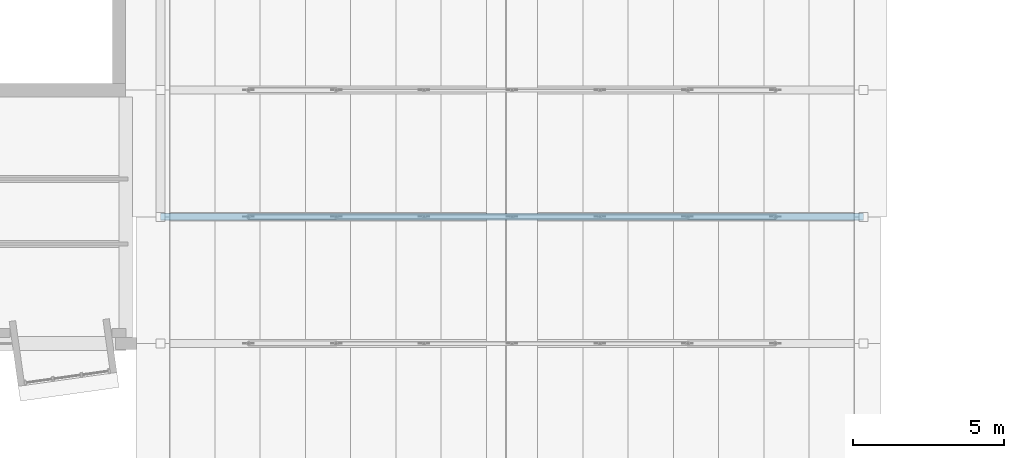
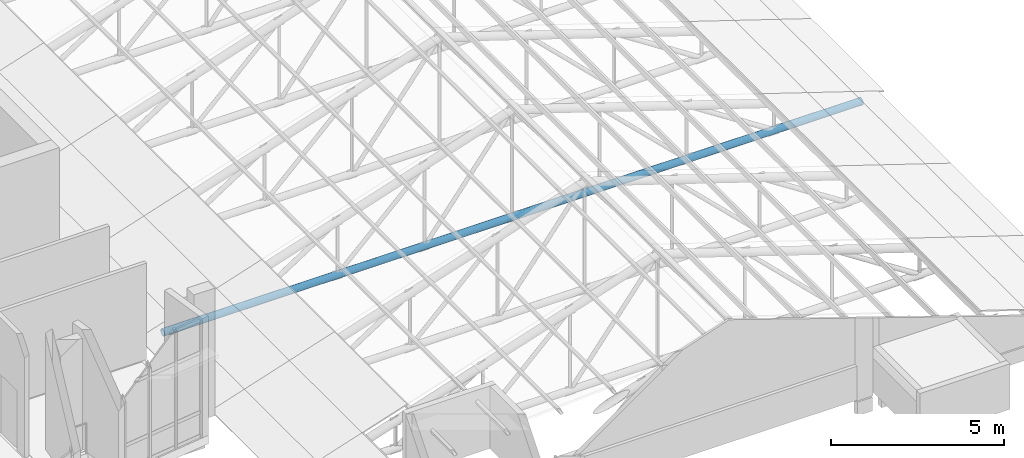
# One storey, part 17 of 95: 1 member.
"""IFC4 building model written with IfcOpenShell, lengths in metres."""

from ifc_helpers import new_model, si_unit, direction, frame, origin, origin_2d, place, context, subcontext, project, spatial, hollow_circle, extrude, material, material_profile, profile_set, type_object, element, save


model = new_model("IFC4")

# Units and contexts
model_context = context("Model", 3, precision=1e-05, world=origin(), true_north=direction((0.0, 1.0)))
body_context = subcontext(model_context, "Body", "Model", "MODEL_VIEW")
ifc_project = project(units=[si_unit("LENGTHUNIT", "METRE"), si_unit("AREAUNIT", "SQUARE_METRE"), si_unit("VOLUMEUNIT", "CUBIC_METRE"), si_unit("PLANEANGLEUNIT", "RADIAN"), si_unit("MASSUNIT", "GRAM", prefix="KILO")], contexts=[model_context])

# Site, building, storey
site_placement = place(None, origin())
site = spatial("IfcSite", under=ifc_project, at=site_placement, CompositionType="ELEMENT")
building_placement = place(site_placement, origin())
building = spatial("IfcBuilding", under=site, at=building_placement, Name="Kiln Court Media Centre", CompositionType="ELEMENT")
storey_placement = place(building_placement, frame((0.0, 0.0, 24.60009765625)))
storey = spatial("IfcBuildingStorey", under=building, at=storey_placement, Name="L05", CompositionType="ELEMENT", Elevation=24.60009765625)

# Member
ifc_material = material(Name="Steel ASTM A500 Gr C", Category="steel")
ifc_material_profile = material_profile(ifc_material, hollow_circle(Radius=0.122314453125, WallThickness=0.010009765625, at=origin_2d()), Name="CHS 244.5x10.0")
ifc_profile_set = profile_set([ifc_material_profile], Name="Steel ASTM A500 Gr C")
member_type = type_object("IfcMemberType", Name="Steel ASTM A500 Gr C CHS 244.5x10.0 truss chord", PredefinedType="CHORD", material=ifc_profile_set)
member_placement = place(storey_placement, frame((34.75, 37.800048828125, -0.013916015625), z_axis=(1.0, 0.0, 0.0), x_axis=(0.0, 1.0, 0.0)))
element("IfcMember", 1, at=member_placement, inside=storey, type_object=member_type, Name="foyer truss FT-04 bottom chord truss chord", PredefinedType="CHORD", context=body_context, shape_type="SweptSolid", body=[
    extrude(hollow_circle(Radius=0.122314453125, WallThickness=0.010009765625, at=origin_2d()), origin(), (0.0, 0.0, 1.0), 23.300048828125),
])

save(model, "model.ifc")
